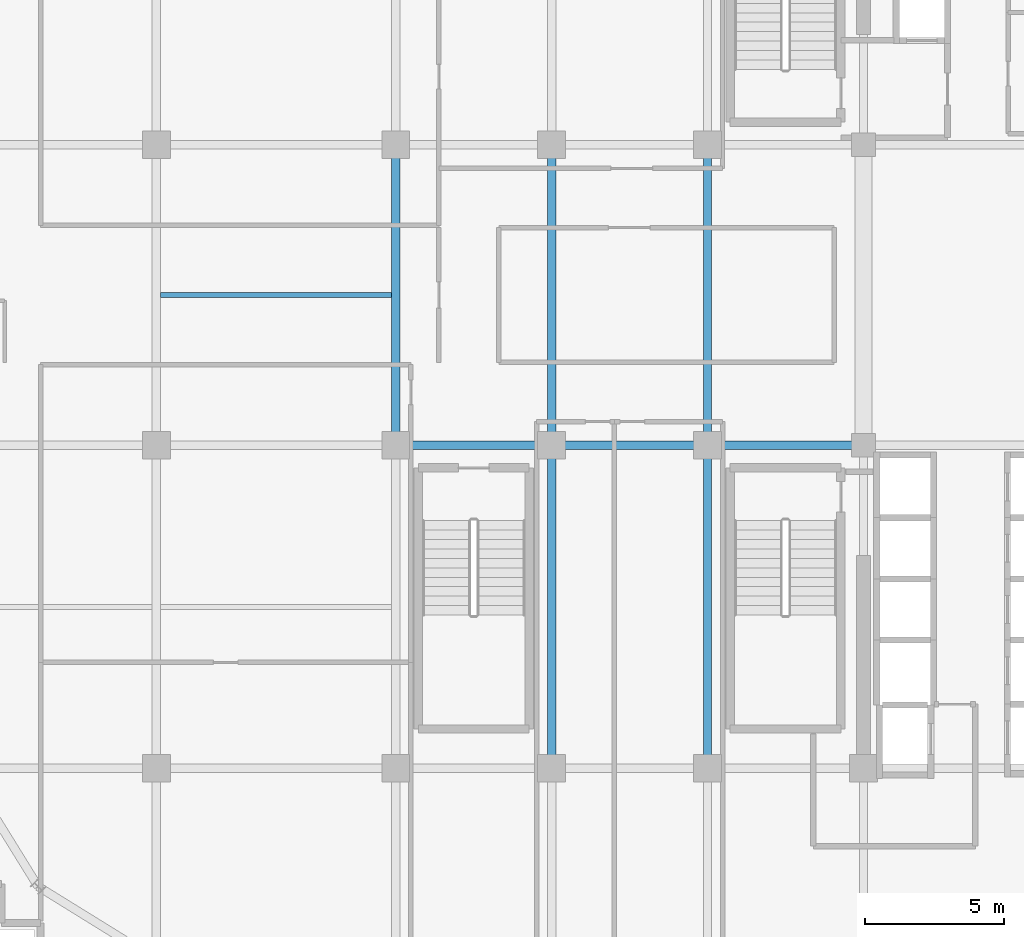
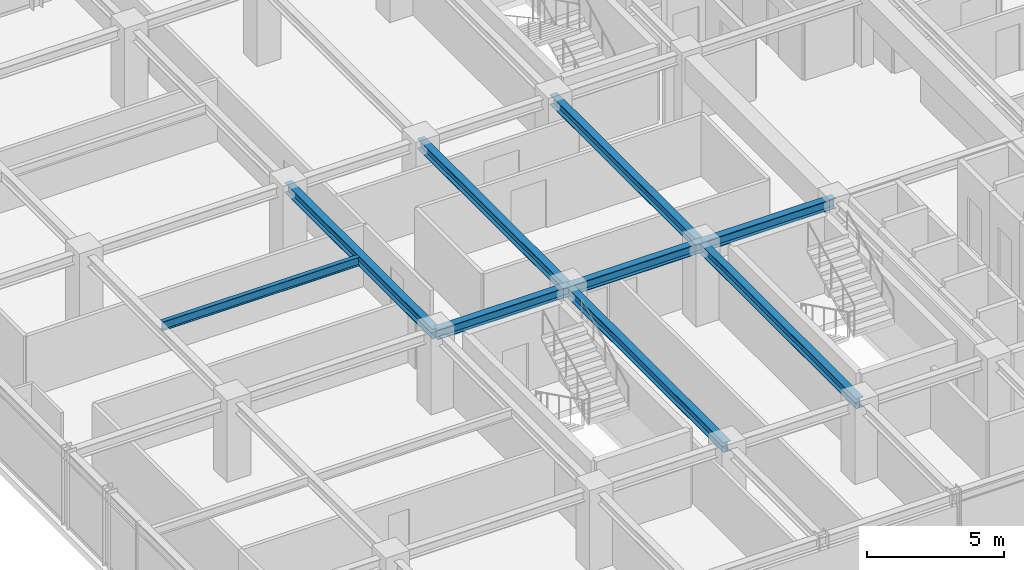
# One storey, part 11 of 36: 9 beams.
"""IFC4 building model written with IfcOpenShell, lengths in metres."""

from ifc_helpers import new_model, si_unit, direction, frame, origin, origin_2d, place, context, subcontext, project, spatial, i_section, extrude, source, transform, mapped, material, material_profile, profile_set, type_object, element, save


model = new_model("IFC4")

# Units and contexts
model_context = context("Model", 3, precision=1e-05, world=origin(), true_north=direction((0.0, 1.0)))
body_context = subcontext(model_context, "Body", "Model", "MODEL_VIEW")
ifc_project = project(units=[si_unit("LENGTHUNIT", "METRE"), si_unit("AREAUNIT", "SQUARE_METRE"), si_unit("VOLUMEUNIT", "CUBIC_METRE"), si_unit("PLANEANGLEUNIT", "RADIAN"), si_unit("MASSUNIT", "GRAM", prefix="KILO")], contexts=[model_context])

# Site, building, storey
site_placement = place(None, origin())
site = spatial("IfcSite", under=ifc_project, at=site_placement, CompositionType="ELEMENT")
building_placement = place(site_placement, origin())
building = spatial("IfcBuilding", under=site, at=building_placement, Name="Nahalor Promenade Grand Hotel", CompositionType="ELEMENT")
storey_placement = place(building_placement, frame((0.0, 0.0, 253.0)))
storey = spatial("IfcBuildingStorey", under=building, at=storey_placement, Name="L65", CompositionType="ELEMENT", Elevation=253.0)

# Beams
ifc_material = material(Name="Steel S355JR", Category="steel")
ifc_material_profile_1 = material_profile(ifc_material, i_section(OverallWidth=0.3, OverallDepth=0.45, WebThickness=0.014, FlangeThickness=0.026, at=origin_2d()), Name="HEB 450")
ifc_profile_set_1 = profile_set([ifc_material_profile_1], Name="Steel S355JR")
beam_type_1 = type_object("IfcBeamType", Name="Beam-Girder-HEB450", PredefinedType="BEAM", material=ifc_profile_set_1)
shared_shape_1 = source(origin(), body_context, "Body", "SweptSolid", [
    extrude(i_section(OverallWidth=0.3, OverallDepth=0.45, WebThickness=0.014, FlangeThickness=0.026, at=origin_2d()), origin(), (0.0, 0.0, 1.0), 5.599853515625),
])
for number, where, z_axis, x_axis, name in (
    (1, (-8.39990234375, -5.39990234375, 3.18505859375), (1.0, 0.0, 0.0), (0.0, 1.0, 0.0), "BM-L65-GX-1-2"),
    (2, (2.800048828125, -5.39990234375, 3.18505859375), (1.0, 0.0, 0.0), (0.0, 1.0, 0.0), "BM-L65-GX-1-4"),
):
    element("IfcBeam", number, at=place(storey_placement, frame(where, z_axis=z_axis, x_axis=x_axis)), inside=storey, type_object=beam_type_1, Name=name, PredefinedType="BEAM", context=body_context, shape_type="MappedRepresentation", body=[
        mapped(shared_shape_1, transform((0.0, 0.0, 0.0), scale=1.0)),
    ])
shared_shape_2 = source(origin(), body_context, "Body", "SweptSolid", [
    extrude(i_section(OverallWidth=0.3, OverallDepth=0.45, WebThickness=0.014, FlangeThickness=0.026, at=origin_2d()), origin(), (0.0, 0.0, 1.0), 5.60009765625),
])
beam_1_placement = place(storey_placement, frame((-2.800048828125, -5.39990234375, 3.18505859375), z_axis=(1.0, 0.0, 0.0), x_axis=(0.0, 1.0, 0.0)))
element("IfcBeam", 3, at=beam_1_placement, inside=storey, type_object=beam_type_1, Name="BM-L65-GX-1-3", PredefinedType="BEAM", context=body_context, shape_type="MappedRepresentation", body=[
    mapped(shared_shape_2, transform((0.0, 0.0, 0.0), scale=1.0)),
])
shared_shape_3 = source(origin(), body_context, "Body", "SweptSolid", [
    extrude(i_section(OverallWidth=0.3, OverallDepth=0.45, WebThickness=0.014, FlangeThickness=0.026, at=origin_2d()), origin(), (0.0, 0.0, 1.0), 11.60009765625),
])
for number, where, z_axis, x_axis, name in (
    (4, (-2.800048828125, -17.0, 3.18505859375), (0.0, 1.0, 0.0), (-1.0, 0.0, 0.0), "BM-L65-GY-2-1"),
    (5, (2.800048828125, -17.0, 3.18505859375), (0.0, 1.0, 0.0), (-1.0, 0.0, 0.0), "BM-L65-GY-3-1"),
):
    element("IfcBeam", number, at=place(storey_placement, frame(where, z_axis=z_axis, x_axis=x_axis)), inside=storey, type_object=beam_type_1, Name=name, PredefinedType="BEAM", context=body_context, shape_type="MappedRepresentation", body=[
        mapped(shared_shape_3, transform((0.0, 0.0, 0.0), scale=1.0)),
    ])
shared_shape_4 = source(origin(), body_context, "Body", "SweptSolid", [
    extrude(i_section(OverallWidth=0.3, OverallDepth=0.45, WebThickness=0.014, FlangeThickness=0.026, at=origin_2d()), origin(), (0.0, 0.0, 1.0), 10.7998046875),
])
for number, where, z_axis, x_axis, name in (
    (6, (-8.39990234375, -5.39990234375, 3.18505859375), (0.0, 1.0, 0.0), (-1.0, 0.0, 0.0), "BM-L65-GY-1-2"),
    (7, (-2.800048828125, -5.39990234375, 3.18505859375), (0.0, 1.0, 0.0), (-1.0, 0.0, 0.0), "BM-L65-GY-2-2"),
    (8, (2.800048828125, -5.39990234375, 3.18505859375), (0.0, 1.0, 0.0), (-1.0, 0.0, 0.0), "BM-L65-GY-3-2"),
):
    element("IfcBeam", number, at=place(storey_placement, frame(where, z_axis=z_axis, x_axis=x_axis)), inside=storey, type_object=beam_type_1, Name=name, PredefinedType="BEAM", context=body_context, shape_type="MappedRepresentation", body=[
        mapped(shared_shape_4, transform((0.0, 0.0, 0.0), scale=1.0)),
    ])
ifc_material_profile_2 = material_profile(ifc_material, i_section(OverallWidth=0.18, OverallDepth=0.4, WebThickness=0.0086, FlangeThickness=0.0135, at=origin_2d()), Name="IPE 400")
ifc_profile_set_2 = profile_set([ifc_material_profile_2], Name="Steel S355JR")
beam_type_2 = type_object("IfcBeamType", Name="Beam-Joist-IPE400", PredefinedType="JOIST", material=ifc_profile_set_2)
shared_shape_5 = source(origin(), body_context, "Body", "SweptSolid", [
    extrude(i_section(OverallWidth=0.18, OverallDepth=0.4, WebThickness=0.0086, FlangeThickness=0.0135, at=origin_2d()), origin(), (0.0, 0.0, 1.0), 8.300048828125),
])
beam_2_placement = place(storey_placement, frame((-16.85009765625, 0.0, 3.2099609375), z_axis=(1.0, 0.0, 0.0), x_axis=(0.0, 1.0, 0.0)))
element("IfcBeam", 9, at=beam_2_placement, inside=storey, type_object=beam_type_2, Name="BM-L65-JSC-0", PredefinedType="JOIST", context=body_context, shape_type="MappedRepresentation", body=[
    mapped(shared_shape_5, transform((0.0, 0.0, 0.0), scale=1.0)),
])

save(model, "model.ifc")
